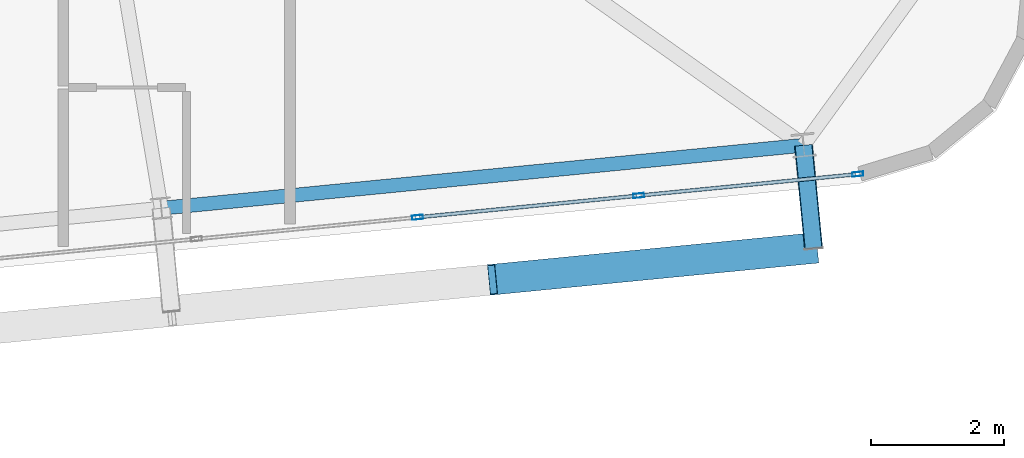
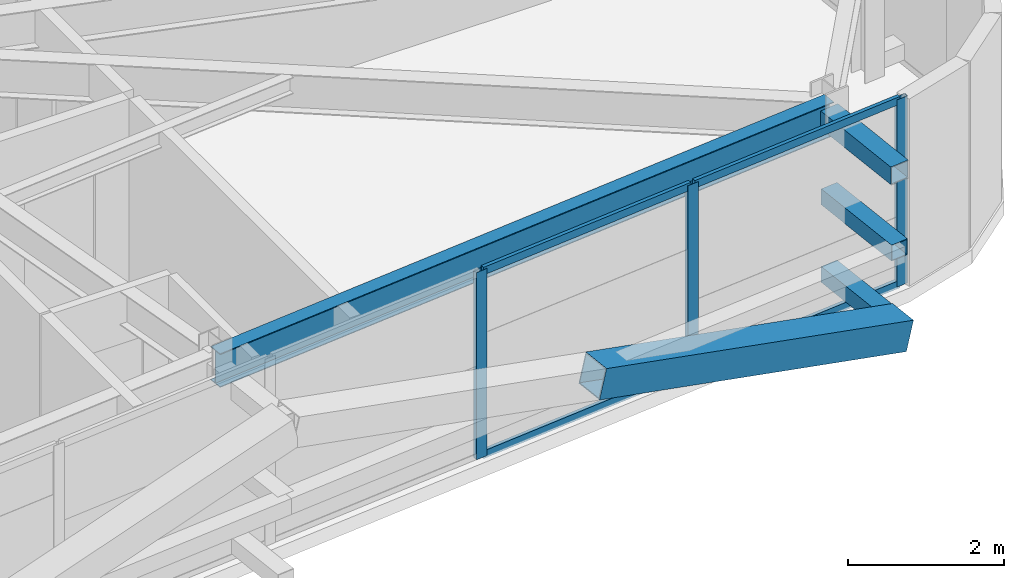
# One storey, part 20 of 52: 11 members, 1 beam, 1 element without a shape of its own.
"""IFC4 building model written with IfcOpenShell, lengths in metres."""

from ifc_helpers import new_model, si_unit, direction, frame, origin, origin_2d, place, context, subcontext, project, spatial, hollow_rectangle, i_section, extrude, source, transform, mapped, material, layer, layer_set, material_profile, profile_set, type_object, element, aggregate, save


model = new_model("IFC4")

# Units and contexts
model_context = context("Model", 3, precision=1e-05, world=origin(), true_north=direction((0.0, 1.0)))
body_context = subcontext(model_context, "Body", "Model", "MODEL_VIEW")
ifc_project = project(units=[si_unit("LENGTHUNIT", "METRE"), si_unit("AREAUNIT", "SQUARE_METRE"), si_unit("VOLUMEUNIT", "CUBIC_METRE"), si_unit("PLANEANGLEUNIT", "RADIAN"), si_unit("MASSUNIT", "GRAM", prefix="KILO")], contexts=[model_context])

# Site, building, storey
site_placement = place(None, origin())
site = spatial("IfcSite", under=ifc_project, at=site_placement, CompositionType="ELEMENT")
building_placement = place(site_placement, origin())
building = spatial("IfcBuilding", under=site, at=building_placement, Name="Taldren Reach Tower", CompositionType="ELEMENT")
storey_placement = place(building_placement, frame((0.0, 0.0, 77.699951171875)))
storey = spatial("IfcBuildingStorey", under=building, at=storey_placement, Name="L23", CompositionType="ELEMENT", Elevation=77.699951171875)

# Members
ifc_material_1 = material(Name="Steel Gr 450 (C450L0)", Category="steel")
ifc_material_profile_1 = material_profile(ifc_material_1, hollow_rectangle(XDim=0.27490234375, YDim=0.27490234375, WallThickness=0.00927734375, at=origin_2d()), Name="275x275x9.3SHS")
ifc_profile_set_1 = profile_set([ifc_material_profile_1], Name="Steel Gr 450 (C450L0)")
member_type_1 = type_object("IfcMemberType", Name="MB-TIE273", PredefinedType="STRUT", material=ifc_profile_set_1)
shared_shape_1 = source(origin(), body_context, "Body", "SweptSolid", [
    extrude(hollow_rectangle(XDim=0.27490234375, YDim=0.27490234375, WallThickness=0.00927734375, at=origin_2d()), origin(), (0.0, 0.0, 1.0), 1.5498046875),
])
member_1_placement = place(storey_placement, frame((63.103271484375, 4.64306640625, 2.650146484375), z_axis=(0.097507178627, -0.995234821595, 0.0), x_axis=(0.995234821595, 0.097507178627, 0.0)))
element("IfcMember", 1, at=member_1_placement, inside=storey, type_object=member_type_1, Name="Exoskeleton diaphragm tie strut B2-S6 L23", PredefinedType="STRUT", context=body_context, shape_type="MappedRepresentation", body=[
    mapped(shared_shape_1, transform((0.0, 0.0, 0.0), scale=1.0)),
])
ifc_material_2 = material(Name="Steel Gr 350 (C350L0)", Category="steel")
ifc_material_profile_2 = material_profile(ifc_material_2, hollow_rectangle(XDim=0.25, YDim=0.25, WallThickness=0.010009765625, at=origin_2d()), Name="250x250x10.0SHS")
ifc_profile_set_2 = profile_set([ifc_material_profile_2], Name="Steel Gr 350 (C350L0)")
member_type_2 = type_object("IfcMemberType", Name="MB-POST250", PredefinedType="POST", material=ifc_profile_set_2)
shared_shape_2 = source(origin(), body_context, "Body", "SweptSolid", [
    extrude(hollow_rectangle(XDim=0.25, YDim=0.25, WallThickness=0.010009765625, at=origin_2d()), origin(), (0.0, 0.0, 1.0), 1.5498046875),
])
for number, where, z_axis, x_axis, name in (
    (2, (63.103271484375, 4.64306640625, 0.219970703125), (0.097507178627, -0.995234821595, 0.0), (0.995234821595, 0.097507178627, 0.0), "Exoskeleton base diaphragm tie strut B2-S6 L23"),
    (3, (63.103271484375, 4.64306640625, 1.43505859375), (0.097507178627, -0.995234821595, 0.0), (0.995234821595, 0.097507178627, 0.0), "Exoskeleton mid-tier diaphragm tie B2-S6 L23"),
):
    element("IfcMember", number, at=place(storey_placement, frame(where, z_axis=z_axis, x_axis=x_axis)), inside=storey, type_object=member_type_2, Name=name, PredefinedType="POST", context=body_context, shape_type="MappedRepresentation", body=[
        mapped(shared_shape_2, transform((0.0, 0.0, 0.0), scale=1.0)),
    ])

# Beam
ifc_material_3 = material(Name="Steel Gr 350 (350PLUS)", Category="steel")
ifc_material_profile_3 = material_profile(ifc_material_3, i_section(OverallWidth=0.208984375, OverallDepth=0.528076171875, WebThickness=0.009521484375, FlangeThickness=0.01318359375, at=origin_2d()), Name="530UB82.0")
ifc_profile_set_3 = profile_set([ifc_material_profile_3], Name="Steel Gr 350 (350PLUS)")
beam_type = type_object("IfcBeamType", Name="SP-UB530B", PredefinedType="SPANDREL", material=ifc_profile_set_3)
shared_shape_3 = source(origin(), body_context, "Body", "SweptSolid", [
    extrude(i_section(OverallWidth=0.208984375, OverallDepth=0.528076171875, WebThickness=0.009521484375, FlangeThickness=0.01318359375, at=origin_2d()), origin(), (0.0, 0.0, 1.0), 9.679931640625),
])
beam_placement = place(storey_placement, frame((53.469482421875, 3.698486328125, 2.666015625), z_axis=(0.995227612658, 0.097580730699, 0.0), x_axis=(-0.097580730699, 0.995227612658, 0.0)))
element("IfcBeam", 4, at=beam_placement, inside=storey, type_object=beam_type, Name="Perimeter spandrel B2 S5-S6 L23", PredefinedType="SPANDREL", context=body_context, shape_type="MappedRepresentation", body=[
    mapped(shared_shape_3, transform((0.0, 0.0, 0.0), scale=1.0)),
])

# Member
ifc_material_profile_4 = material_profile(ifc_material_1, hollow_rectangle(XDim=0.4599609375, YDim=0.4599609375, WallThickness=0.01611328125, at=origin_2d()), Name="460x460x16.0SHS")
ifc_profile_set_4 = profile_set([ifc_material_profile_4], Name="Steel Gr 450 (C450L0)")
member_type_3 = type_object("IfcMemberType", Name="MB-EXO457", PredefinedType="BRACE", material=ifc_profile_set_4)
shared_shape_4 = source(origin(), body_context, "Body", "SweptSolid", [
    extrude(hollow_rectangle(XDim=0.4599609375, YDim=0.4599609375, WallThickness=0.01611328125, at=origin_2d()), origin(), (0.0, 0.0, 1.0), 4.990234375),
])
member_2_placement = place(storey_placement, frame((63.25439453125, 3.1005859375, 0.219970703125), z_axis=(-0.965271056716, -0.094667992638, 0.243494883389), x_axis=(0.097605711627, -0.995225162995, 0.0)))
element("IfcMember", 5, at=member_2_placement, inside=storey, type_object=member_type_3, Name="Exoskeleton Diagrid Brace B2-S5 L23", PredefinedType="BRACE", context=body_context, shape_type="MappedRepresentation", body=[
    mapped(shared_shape_4, transform((0.0, 0.0, 0.0), scale=1.0)),
])

# Curtain wall, members
ifc_material_4 = material(Name="Aluminium and Low-E Glass Unitised System", Category="aluminium")
ifc_layer = layer(ifc_material_4, 0.159912109375)
ifc_layer_set = layer_set([ifc_layer], Name="Aluminium and Low-E Glass Unitised System")
curtain_wall_type = type_object("IfcCurtainWallType", Name="CW-SYS-3", PredefinedType="NOTDEFINED", material=ifc_layer_set)
curtain_wall_placement = place(storey_placement, origin())
curtain_wall = element("IfcCurtainWall", 6, at=curtain_wall_placement, inside=storey, type_object=curtain_wall_type, Name="Unitised curtain wall CW-L23-S", PredefinedType="NOTDEFINED")
ifc_material_5 = material(Name="Anodised Aluminium 6063-T6", Category="aluminium")
ifc_material_profile_5 = material_profile(ifc_material_5, hollow_rectangle(XDim=0.06494140625, YDim=0.1650390625, WallThickness=0.00390625, at=origin_2d()), Name="ALU-165x65x4RHS")
ifc_profile_set_5 = profile_set([ifc_material_profile_5], Name="Anodised Aluminium 6063-T6")
member_type_4 = type_object("IfcMemberType", Name="CW-MUL-165", PredefinedType="MULLION", material=ifc_profile_set_5)
shared_shape_5 = source(origin(), body_context, "Body", "SweptSolid", [
    extrude(hollow_rectangle(XDim=0.06494140625, YDim=0.1650390625, WallThickness=0.00390625, at=origin_2d()), origin(), (0.0, 0.0, 1.0), 2.929931640625),
])
member_3_placement = place(storey_placement, frame((57.314208984375, 3.56298828125, 0.0), z_axis=(0.0, 0.0, 1.0), x_axis=(-0.097582999046, 0.995227390247, 0.0)))
member_3 = element("IfcMember", 7, at=member_3_placement, type_object=member_type_4, Name="CW-3 mullion 14", PredefinedType="MULLION", context=body_context, shape_type="MappedRepresentation", body=[
    mapped(shared_shape_5, transform((0.0, 0.0, 0.0), scale=1.0)),
])
member_4_placement = place(storey_placement, frame((60.631591796875, 3.888427734375, 0.0), z_axis=(0.0, 0.0, 1.0), x_axis=(-0.097582999046, 0.995227390247, 0.0)))
member_4 = element("IfcMember", 8, at=member_4_placement, type_object=member_type_4, Name="CW-3 mullion 15", PredefinedType="MULLION", context=body_context, shape_type="MappedRepresentation", body=[
    mapped(shared_shape_5, transform((0.0, 0.0, 0.0), scale=1.0)),
])
member_5_placement = place(storey_placement, frame((63.916748046875, 4.21044921875, 0.0), z_axis=(0.0, 0.0, 1.0), x_axis=(-0.097582999046, 0.995227390247, 0.0)))
member_5 = element("IfcMember", 9, at=member_5_placement, type_object=member_type_4, Name="CW-3 mullion 16", PredefinedType="MULLION", context=body_context, shape_type="MappedRepresentation", body=[
    mapped(shared_shape_5, transform((0.0, 0.0, 0.0), scale=1.0)),
])
ifc_material_profile_6 = material_profile(ifc_material_5, hollow_rectangle(XDim=0.054931640625, YDim=0.1201171875, WallThickness=0.0029296875, at=origin_2d()), Name="ALU-120x55x3RHS")
ifc_profile_set_6 = profile_set([ifc_material_profile_6], Name="Anodised Aluminium 6063-T6")
member_type_5 = type_object("IfcMemberType", Name="CW-TRN-135", PredefinedType="USERDEFINED", material=ifc_profile_set_6)
shared_shape_6 = source(origin(), body_context, "Body", "SweptSolid", [
    extrude(hollow_rectangle(XDim=0.054931640625, YDim=0.1201171875, WallThickness=0.0029296875, at=origin_2d()), origin(), (0.0, 0.0, 1.0), 3.23583984375),
])
member_6_placement = place(storey_placement, frame((60.6640625, 3.8916015625, 0.027587890625), z_axis=(0.995230248826, 0.097553840629, 0.0), x_axis=(-0.097553840629, 0.995230248826, 0.0)))
member_6 = element("IfcMember", 10, at=member_6_placement, type_object=member_type_5, Name="CW-3 transom 15.1", ObjectType="TRANSOM", PredefinedType="USERDEFINED", context=body_context, shape_type="MappedRepresentation", body=[
    mapped(shared_shape_6, transform((0.0, 0.0, 0.0), scale=1.0)),
])
member_7_placement = place(storey_placement, frame((60.6640625, 3.8916015625, 2.902587890625), z_axis=(0.995230248826, 0.097553840629, 0.0), x_axis=(-0.097553840629, 0.995230248826, 0.0)))
member_7 = element("IfcMember", 11, at=member_7_placement, type_object=member_type_5, Name="CW-3 transom 15.2", ObjectType="TRANSOM", PredefinedType="USERDEFINED", context=body_context, shape_type="MappedRepresentation", body=[
    mapped(shared_shape_6, transform((0.0, 0.0, 0.0), scale=1.0)),
])
shared_shape_7 = source(origin(), body_context, "Body", "SweptSolid", [
    extrude(hollow_rectangle(XDim=0.054931640625, YDim=0.1201171875, WallThickness=0.0029296875, at=origin_2d()), origin(), (0.0, 0.0, 1.0), 3.268310546875),
])
member_8_placement = place(storey_placement, frame((57.3466796875, 3.566162109375, 0.027587890625), z_axis=(0.995222549564, 0.097632355496, 0.0), x_axis=(-0.097632355496, 0.995222549564, 0.0)))
member_8 = element("IfcMember", 12, at=member_8_placement, type_object=member_type_5, Name="CW-3 transom 14.1", ObjectType="TRANSOM", PredefinedType="USERDEFINED", context=body_context, shape_type="MappedRepresentation", body=[
    mapped(shared_shape_7, transform((0.0, 0.0, 0.0), scale=1.0)),
])
member_9_placement = place(storey_placement, frame((57.3466796875, 3.566162109375, 2.902587890625), z_axis=(0.995222549564, 0.097632355496, 0.0), x_axis=(-0.097632355496, 0.995222549564, 0.0)))
member_9 = element("IfcMember", 13, at=member_9_placement, type_object=member_type_5, Name="CW-3 transom 14.2", ObjectType="TRANSOM", PredefinedType="USERDEFINED", context=body_context, shape_type="MappedRepresentation", body=[
    mapped(shared_shape_7, transform((0.0, 0.0, 0.0), scale=1.0)),
])
aggregate(curtain_wall, [member_3, member_4, member_5, member_8, member_9, member_6, member_7])

save(model, "model.ifc")
